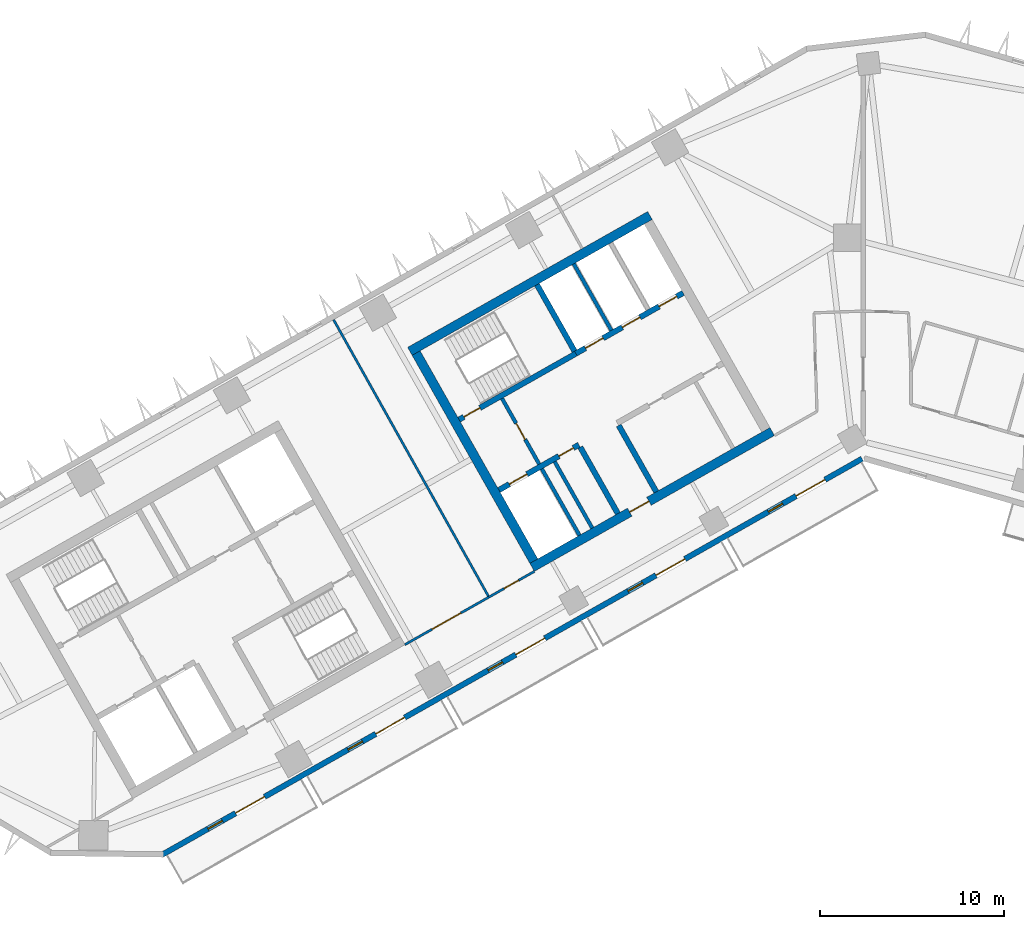
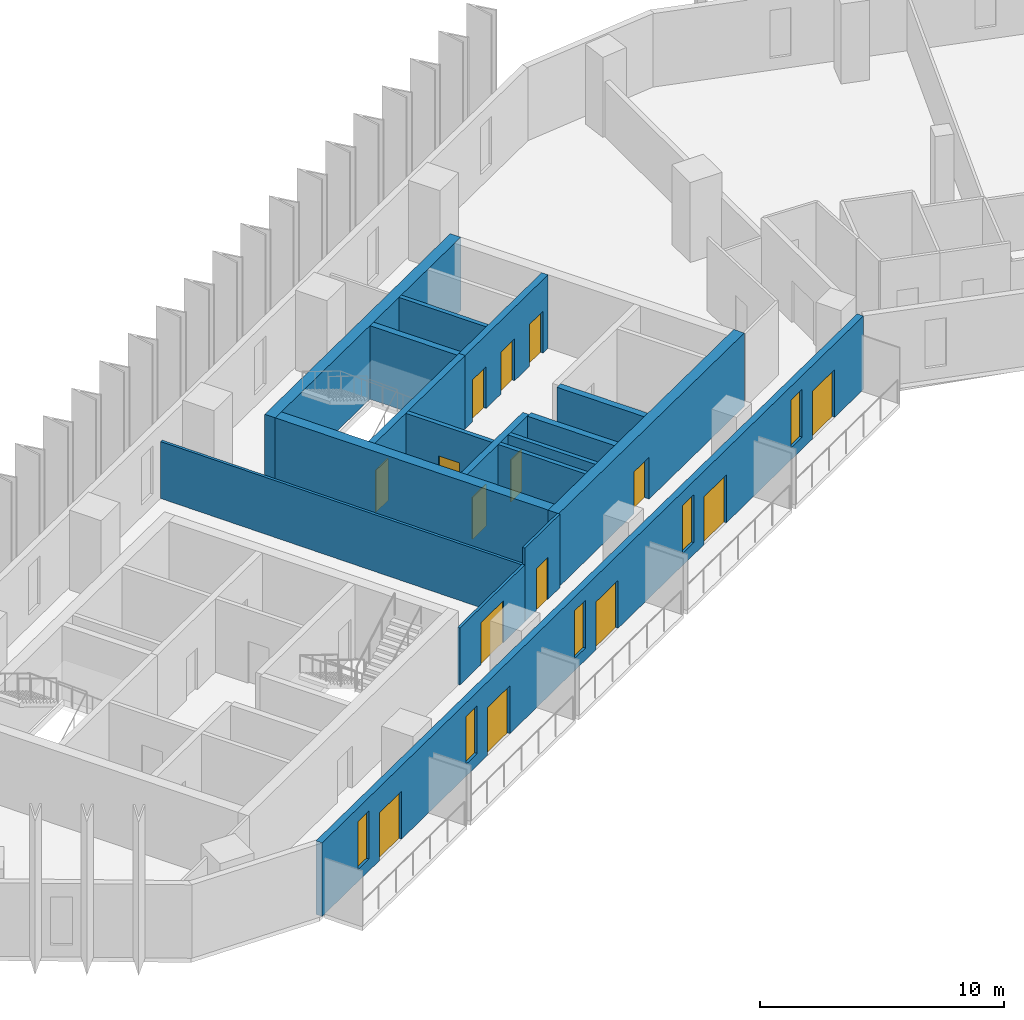
# One storey, part 4 of 10: 17 walls, 15 doors, 5 windows, 20 openings.
"""IFC4 building model written with IfcOpenShell, lengths in metres."""

from ifc_helpers import new_model, si_unit, direction, frame, frame_2d, origin, place, context, subcontext, project, spatial, rectangle, extrude, material, layer, layer_set, type_object, element, fill, save


model = new_model("IFC4")

# Units and contexts
model_context = context("Model", 3, precision=1e-05, world=origin(), true_north=direction((0.0, 1.0)))
body_context = subcontext(model_context, "Body", "Model", "MODEL_VIEW")
ifc_project = project(units=[si_unit("LENGTHUNIT", "METRE"), si_unit("AREAUNIT", "SQUARE_METRE"), si_unit("VOLUMEUNIT", "CUBIC_METRE"), si_unit("PLANEANGLEUNIT", "RADIAN"), si_unit("MASSUNIT", "GRAM", prefix="KILO")], contexts=[model_context])

# Site, building, storey
site_placement = place(None, origin())
site = spatial("IfcSite", under=ifc_project, at=site_placement, CompositionType="ELEMENT")
building_placement = place(site_placement, origin())
building = spatial("IfcBuilding", under=site, at=building_placement, Name="Binnacle Exchange Tower", CompositionType="ELEMENT")
storey_placement = place(building_placement, frame((0.0, 0.0, 178.89990234375)))
storey = spatial("IfcBuildingStorey", under=building, at=storey_placement, Name="L38", CompositionType="ELEMENT", Elevation=178.89990234375)

# Wall, openings, doors
ifc_material_1 = material(Name="Concrete C70/85", Category="concrete")
ifc_layer_1 = layer(ifc_material_1, 0.300048828125)
ifc_layer_set_1 = layer_set([ifc_layer_1], Name="Core wall - front 300")
wall_type_1 = type_object("IfcWallType", Name="Core wall - front 300", PredefinedType="SOLIDWALL", material=ifc_layer_set_1)
wall_1_placement = place(storey_placement, frame((-19.80517578125, 46.26708984375, 0.0), z_axis=(0.0, 0.0, 1.0), x_axis=(0.870353598469, 0.492427267353, 0.0)))
wall_1 = element("IfcWall", 1, at=wall_1_placement, inside=storey, type_object=wall_type_1, Name="Core wall CRWC2", PredefinedType="SOLIDWALL", context=body_context, shape_type="SweptSolid", body=[
    extrude(rectangle(XDim=5.0, YDim=0.300048828125, at=frame_2d((2.5, 0.0))), origin(), (0.0, 0.0, 1.0), 3.68017578125),
])
opening_1_placement = place(wall_1_placement, frame((0.64990234375, 0.0, 0.0)))
opening_1 = element("IfcOpeningElement", 2, at=opening_1_placement, cuts=wall_1, Name="Opening LD14", PredefinedType="OPENING", context=body_context, shape_type="SweptSolid", body=[
    extrude(rectangle(XDim=1.10009765625, YDim=2.10009765625, at=frame_2d((0.550048828125, 1.050048828125))), frame((0.0, 0.159912109375, 0.0), z_axis=(0.0, -1.0, 0.0), x_axis=(1.0, 0.0, 0.0)), (0.0, 0.0, 1.0), 0.320068359375),
])
opening_2_placement = place(wall_1_placement, frame((3.75, 0.0, 0.0)))
opening_2 = element("IfcOpeningElement", 3, at=opening_2_placement, cuts=wall_1, Name="Opening DC14", PredefinedType="OPENING", context=body_context, shape_type="SweptSolid", body=[
    extrude(rectangle(XDim=0.89990234375, YDim=2.10009765625, at=frame_2d((0.449951171875, 1.050048828125))), frame((0.0, 0.159912109375, 0.0), z_axis=(0.0, -1.0, 0.0), x_axis=(1.0, 0.0, 0.0)), (0.0, 0.0, 1.0), 0.320068359375),
])
ifc_material_2 = material(Name="Steel door leaf", Category="steel")
door_type_1 = type_object("IfcDoorType", Name="Fire door - lift landing 1100", OperationType="NOTDEFINED", PredefinedType="DOOR", material=ifc_material_2)
door_1_placement = place(opening_1_placement, origin())
door_1 = element("IfcDoor", 4, at=door_1_placement, inside=storey, type_object=door_type_1, Name="Landing door LD14 L38", OperationType="DOUBLE_DOOR_SLIDING", OverallHeight=2.10009765625, OverallWidth=1.10009765625, PredefinedType="DOOR", context=body_context, shape_type="SweptSolid", body=[
    extrude(rectangle(XDim=1.10009765625, YDim=2.10009765625, at=frame_2d((0.550048828125, 1.050048828125))), frame((0.0, 0.02490234375, 0.0), z_axis=(0.0, -1.0, 0.0), x_axis=(1.0, 0.0, 0.0)), (0.0, 0.0, 1.0), 0.050048828125),
])
fill(opening_1, door_1)
door_type_2 = type_object("IfcDoorType", Name="Fire door 900", OperationType="NOTDEFINED", PredefinedType="DOOR", material=ifc_material_2)
door_2_placement = place(opening_2_placement, frame((0.89990234375, 0.0, 0.0), z_axis=(0.0, 0.0, 1.0), x_axis=(-1.0, 0.0, 0.0)))
door_2 = element("IfcDoor", 5, at=door_2_placement, inside=storey, type_object=door_type_2, Name="Core room door IT STORE", OperationType="SINGLE_SWING_LEFT", OverallHeight=2.10009765625, OverallWidth=0.89990234375, PredefinedType="DOOR", context=body_context, shape_type="SweptSolid", body=[
    extrude(rectangle(XDim=0.89990234375, YDim=2.10009765625, at=frame_2d((0.449951171875, 1.050048828125))), frame((0.0, 0.02490234375, 0.0), z_axis=(0.0, -1.0, 0.0), x_axis=(1.0, 0.0, 0.0)), (0.0, 0.0, 1.0), 0.050048828125),
])
fill(opening_2, door_2)

wall_2_placement = place(storey_placement, frame((-15.6181640625, 53.69140625, 0.0), z_axis=(0.0, 0.0, 1.0), x_axis=(0.870363236066, 0.492410232738, 0.0)))
wall_2 = element("IfcWall", 6, at=wall_2_placement, inside=storey, type_object=wall_type_1, Name="Core wall CRWC5", PredefinedType="SOLIDWALL", context=body_context, shape_type="SweptSolid", body=[
    extrude(rectangle(XDim=6.699951171875, YDim=0.300048828125, at=frame_2d((3.35009765625, 0.0))), origin(), (0.0, 0.0, 1.0), 3.68017578125),
])
opening_3_placement = place(wall_2_placement, frame((0.60009765625, 0.0, 0.0)))
opening_3 = element("IfcOpeningElement", 7, at=opening_3_placement, cuts=wall_2, Name="Opening LD5", PredefinedType="OPENING", context=body_context, shape_type="SweptSolid", body=[
    extrude(rectangle(XDim=1.10009765625, YDim=2.10009765625, at=frame_2d((0.550048828125, 1.050048828125))), frame((0.0, 0.159912109375, 0.0), z_axis=(0.0, -1.0, 0.0), x_axis=(1.0, 0.0, 0.0)), (0.0, 0.0, 1.0), 0.320068359375),
])
opening_4_placement = place(wall_2_placement, frame((2.89990234375, 0.0, 0.0)))
opening_4 = element("IfcOpeningElement", 8, at=opening_4_placement, cuts=wall_2, Name="Opening LD6", PredefinedType="OPENING", context=body_context, shape_type="SweptSolid", body=[
    extrude(rectangle(XDim=1.10009765625, YDim=2.10009765625, at=frame_2d((0.550048828125, 1.050048828125))), frame((0.0, 0.159912109375, 0.0), z_axis=(0.0, -1.0, 0.0), x_axis=(1.0, 0.0, 0.0)), (0.0, 0.0, 1.0), 0.320068359375),
])
opening_5_placement = place(wall_2_placement, frame((5.199951171875, 0.0, 0.0)))
opening_5 = element("IfcOpeningElement", 9, at=opening_5_placement, cuts=wall_2, Name="Opening LD7", PredefinedType="OPENING", context=body_context, shape_type="SweptSolid", body=[
    extrude(rectangle(XDim=1.10009765625, YDim=2.10009765625, at=frame_2d((0.550048828125, 1.050048828125))), frame((0.0, 0.159912109375, 0.0), z_axis=(0.0, -1.0, 0.0), x_axis=(1.0, 0.0, 0.0)), (0.0, 0.0, 1.0), 0.320068359375),
])
door_3_placement = place(opening_3_placement, origin())
door_3 = element("IfcDoor", 10, at=door_3_placement, inside=storey, type_object=door_type_1, Name="Landing door LD5 L38", OperationType="DOUBLE_DOOR_SLIDING", OverallHeight=2.10009765625, OverallWidth=1.10009765625, PredefinedType="DOOR", context=body_context, shape_type="SweptSolid", body=[
    extrude(rectangle(XDim=1.10009765625, YDim=2.10009765625, at=frame_2d((0.550048828125, 1.050048828125))), frame((0.0, 0.02490234375, 0.0), z_axis=(0.0, -1.0, 0.0), x_axis=(1.0, 0.0, 0.0)), (0.0, 0.0, 1.0), 0.050048828125),
])
fill(opening_3, door_3)
door_4_placement = place(opening_4_placement, origin())
door_4 = element("IfcDoor", 11, at=door_4_placement, inside=storey, type_object=door_type_1, Name="Landing door LD6 L38", OperationType="DOUBLE_DOOR_SLIDING", OverallHeight=2.10009765625, OverallWidth=1.10009765625, PredefinedType="DOOR", context=body_context, shape_type="SweptSolid", body=[
    extrude(rectangle(XDim=1.10009765625, YDim=2.10009765625, at=frame_2d((0.550048828125, 1.050048828125))), frame((0.0, 0.02490234375, 0.0), z_axis=(0.0, -1.0, 0.0), x_axis=(1.0, 0.0, 0.0)), (0.0, 0.0, 1.0), 0.050048828125),
])
fill(opening_4, door_4)
door_5_placement = place(opening_5_placement, origin())
door_5 = element("IfcDoor", 12, at=door_5_placement, inside=storey, type_object=door_type_1, Name="Landing door LD7 L38", OperationType="DOUBLE_DOOR_SLIDING", OverallHeight=2.10009765625, OverallWidth=1.10009765625, PredefinedType="DOOR", context=body_context, shape_type="SweptSolid", body=[
    extrude(rectangle(XDim=1.10009765625, YDim=2.10009765625, at=frame_2d((0.550048828125, 1.050048828125))), frame((0.0, 0.02490234375, 0.0), z_axis=(0.0, -1.0, 0.0), x_axis=(1.0, 0.0, 0.0)), (0.0, 0.0, 1.0), 0.050048828125),
])
fill(opening_5, door_5)

# Walls
for number, where, z_axis, x_axis, name in (
    (13, (-15.37939453125, 48.5986328125, 0.0), (0.0, 0.0, 1.0), (0.492396453737, -0.870371031427, 0.0), "Core wall CRWC13"),
    (14, (-13.29052734375, 49.780517578125, 0.0), (0.0, 0.0, 1.0), (0.492396453737, -0.870371031427, 0.0), "Core wall CRWC15"),
):
    element("IfcWall", number, at=place(storey_placement, frame(where, z_axis=z_axis, x_axis=x_axis)), inside=storey, type_object=wall_type_1, Name=name, PredefinedType="SOLIDWALL", context=body_context, shape_type="SweptSolid", body=[
        extrude(rectangle(XDim=4.14990234375, YDim=0.300048828125, at=frame_2d((2.074951171875, 0.0))), origin(), (0.0, 0.0, 1.0), 3.68017578125),
    ])

# Wall, opening, door
ifc_layer_2 = layer(ifc_material_1, 0.5)
ifc_layer_set_2 = layer_set([ifc_layer_2], Name="Core wall - outer 500")
wall_type_2 = type_object("IfcWallType", Name="Core wall - outer 500", PredefinedType="SOLIDWALL", material=ifc_layer_set_2)
wall_3_placement = place(storey_placement, frame((-17.999755859375, 42.060791015625, 0.0), z_axis=(0.0, 0.0, 1.0), x_axis=(0.870356627484, 0.492421913601, 0.0)))
wall_3 = element("IfcWall", 15, at=wall_3_placement, inside=storey, type_object=wall_type_2, Name="Core wall CRWC1", PredefinedType="SOLIDWALL", context=body_context, shape_type="SweptSolid", body=[
    extrude(rectangle(XDim=14.999755859375, YDim=0.5, at=frame_2d((7.5, 0.0))), origin(), (0.0, 0.0, 1.0), 3.68017578125),
])
opening_6_placement = place(wall_3_placement, frame((6.10009765625, 0.0, 0.0)))
opening_6 = element("IfcOpeningElement", 16, at=opening_6_placement, cuts=wall_3, Name="Opening DC7", PredefinedType="OPENING", context=body_context, shape_type="SweptSolid", body=[
    extrude(rectangle(XDim=1.199951171875, YDim=2.10009765625, at=frame_2d((0.60009765625, 1.050048828125))), frame((0.0, 0.260009765625, 0.0), z_axis=(0.0, -1.0, 0.0), x_axis=(1.0, 0.0, 0.0)), (0.0, 0.0, 1.0), 0.52001953125),
])
door_type_3 = type_object("IfcDoorType", Name="Fire door 1200", OperationType="NOTDEFINED", PredefinedType="DOOR", material=ifc_material_2)
door_6_placement = place(opening_6_placement, frame((1.199951171875, 0.0, 0.0), z_axis=(0.0, 0.0, 1.0), x_axis=(-1.0, 0.0, 0.0)))
door_6 = element("IfcDoor", 17, at=door_6_placement, inside=storey, type_object=door_type_3, Name="Lift lobby entrance door core C", OperationType="SINGLE_SWING_RIGHT", OverallHeight=2.10009765625, OverallWidth=1.199951171875, PredefinedType="DOOR", context=body_context, shape_type="SweptSolid", body=[
    extrude(rectangle(XDim=1.199951171875, YDim=2.10009765625, at=frame_2d((0.60009765625, 1.050048828125))), frame((0.0, 0.02490234375, 0.0), z_axis=(0.0, -1.0, 0.0), x_axis=(1.0, 0.0, 0.0)), (0.0, 0.0, 1.0), 0.050048828125),
])
fill(opening_6, door_6)

# Walls
wall_4_placement = place(storey_placement, frame((-24.6474609375, 53.810546875, 0.0), z_axis=(0.0, 0.0, 1.0), x_axis=(0.87034965173, 0.492434243055, 0.0)))
element("IfcWall", 18, at=wall_4_placement, inside=storey, type_object=wall_type_2, Name="Core wall CRWC6", PredefinedType="SOLIDWALL", context=body_context, shape_type="SweptSolid", body=[
    extrude(rectangle(XDim=15.0, YDim=0.5, at=frame_2d((7.5, 0.0))), origin(), (0.0, 0.0, 1.0), 3.68017578125),
])
wall_5_placement = place(storey_placement, frame((-24.306884765625, 53.716064453125, 0.0), z_axis=(0.0, 0.0, 1.0), x_axis=(0.492427267353, -0.870353598469, 0.0)))
element("IfcWall", 19, at=wall_5_placement, inside=storey, type_object=wall_type_2, Name="Core wall CRWC7", PredefinedType="SOLIDWALL", context=body_context, shape_type="SweptSolid", body=[
    extrude(rectangle(XDim=13.0, YDim=0.5, at=frame_2d((6.5, 0.0))), origin(), (0.0, 0.0, 1.0), 3.68017578125),
])

# Wall, opening, door
ifc_layer_3 = layer(ifc_material_1, 0.300048828125)
ifc_layer_set_3 = layer_set([ifc_layer_3], Name="Core wall - stair 300")
wall_type_3 = type_object("IfcWallType", Name="Core wall - stair 300", PredefinedType="SOLIDWALL", material=ifc_layer_set_3)
wall_6_placement = place(storey_placement, frame((-21.9716796875, 50.0966796875, 0.0), z_axis=(0.0, 0.0, 1.0), x_axis=(0.870350976978, 0.492431900747, 0.0)))
wall_6 = element("IfcWall", 20, at=wall_6_placement, inside=storey, type_object=wall_type_3, Name="Core wall CRWC4", PredefinedType="SOLIDWALL", context=body_context, shape_type="SweptSolid", body=[
    extrude(rectangle(XDim=7.300048828125, YDim=0.300048828125, at=frame_2d((3.64990234375, 0.0))), origin(), (0.0, 0.0, 1.0), 3.68017578125),
])
opening_7_placement = place(wall_6_placement, frame((0.300048828125, 0.0, 0.0)))
opening_7 = element("IfcOpeningElement", 21, at=opening_7_placement, cuts=wall_6, Name="Opening DC1", PredefinedType="OPENING", context=body_context, shape_type="SweptSolid", body=[
    extrude(rectangle(XDim=1.0, YDim=2.10009765625, at=frame_2d((0.5, 1.050048828125))), frame((0.0, 0.159912109375, 0.0), z_axis=(0.0, -1.0, 0.0), x_axis=(1.0, 0.0, 0.0)), (0.0, 0.0, 1.0), 0.320068359375),
])
door_type_4 = type_object("IfcDoorType", Name="Fire door 1000", OperationType="NOTDEFINED", PredefinedType="DOOR", material=ifc_material_2)
door_7_placement = place(opening_7_placement, origin())
door_7 = element("IfcDoor", 22, at=door_7_placement, inside=storey, type_object=door_type_4, Name="Stair door ST-C1", OperationType="SINGLE_SWING_LEFT", OverallHeight=2.10009765625, OverallWidth=1.0, PredefinedType="DOOR", context=body_context, shape_type="SweptSolid", body=[
    extrude(rectangle(XDim=1.0, YDim=2.10009765625, at=frame_2d((0.5, 1.050048828125))), frame((0.0, 0.02490234375, 0.0), z_axis=(0.0, -1.0, 0.0), x_axis=(1.0, 0.0, 0.0)), (0.0, 0.0, 1.0), 0.050048828125),
])
fill(opening_7, door_7)

# Wall
wall_7_placement = place(storey_placement, frame((-17.735595703125, 57.433837890625, 0.0), z_axis=(0.0, 0.0, 1.0), x_axis=(0.492421666909, -0.870356767055, 0.0)))
element("IfcWall", 23, at=wall_7_placement, inside=storey, type_object=wall_type_3, Name="Core wall CRWC14", PredefinedType="SOLIDWALL", context=body_context, shape_type="SweptSolid", body=[
    extrude(rectangle(XDim=4.14990234375, YDim=0.300048828125, at=frame_2d((2.074951171875, 0.0))), origin(), (0.0, 0.0, 1.0), 3.68017578125),
])

# Wall, openings, doors, windows
ifc_material_3 = material(Name="Bronze aluminium cladding", Category="aluminium")
ifc_layer_4 = layer(ifc_material_3, 0.300048828125)
ifc_layer_set_4 = layer_set([ifc_layer_4], Name="External wall - spandrel 300")
wall_type_4 = type_object("IfcWallType", Name="External wall - spandrel 300", PredefinedType="STANDARD", material=ifc_layer_set_4)
wall_8_placement = place(storey_placement, frame((-0.0546875, 47.968994140625, 0.0), z_axis=(0.0, 0.0, 1.0), x_axis=(-0.870355730478, -0.492423499058, 0.0)))
wall_8 = element("IfcWall", 24, at=wall_8_placement, inside=storey, type_object=wall_type_4, Name="External wall EW-G01 L38", PredefinedType="STANDARD", context=body_context, shape_type="SweptSolid", body=[
    extrude(rectangle(XDim=43.750244140625, YDim=0.300048828125, at=frame_2d((21.875, 0.0))), origin(), (0.0, 0.0, 1.0), 3.68017578125),
])
opening_8_placement = place(wall_8_placement, frame((39.976806640625, 0.0, 0.60009765625)))
opening_8 = element("IfcOpeningElement", 25, at=opening_8_placement, cuts=wall_8, Name="Opening WS3", PredefinedType="OPENING", context=body_context, shape_type="SweptSolid", body=[
    extrude(rectangle(XDim=0.89990234375, YDim=2.39990234375, at=frame_2d((0.449951171875, 1.199951171875))), frame((0.0, 0.159912109375, 0.0), z_axis=(0.0, -1.0, 0.0), x_axis=(1.0, 0.0, 0.0)), (0.0, 0.0, 1.0), 0.320068359375),
])
opening_9_placement = place(wall_8_placement, frame((37.338134765625, 0.0, 0.0)))
opening_9 = element("IfcOpeningElement", 26, at=opening_9_placement, cuts=wall_8, Name="Opening D-FS11-01", PredefinedType="OPENING", context=body_context, shape_type="SweptSolid", body=[
    extrude(rectangle(XDim=1.800048828125, YDim=2.39990234375, at=frame_2d((0.89990234375, 1.199951171875))), frame((0.0, 0.159912109375, 0.0), z_axis=(0.0, -1.0, 0.0), x_axis=(1.0, 0.0, 0.0)), (0.0, 0.0, 1.0), 0.320068359375),
])
opening_10_placement = place(wall_8_placement, frame((31.222412109375, 0.0, 0.60009765625)))
opening_10 = element("IfcOpeningElement", 27, at=opening_10_placement, cuts=wall_8, Name="Opening WS3", PredefinedType="OPENING", context=body_context, shape_type="SweptSolid", body=[
    extrude(rectangle(XDim=0.89990234375, YDim=2.39990234375, at=frame_2d((0.449951171875, 1.199951171875))), frame((0.0, 0.159912109375, 0.0), z_axis=(0.0, -1.0, 0.0), x_axis=(1.0, 0.0, 0.0)), (0.0, 0.0, 1.0), 0.320068359375),
])
opening_11_placement = place(wall_8_placement, frame((28.583740234375, 0.0, 0.0)))
opening_11 = element("IfcOpeningElement", 28, at=opening_11_placement, cuts=wall_8, Name="Opening D-FS11-02", PredefinedType="OPENING", context=body_context, shape_type="SweptSolid", body=[
    extrude(rectangle(XDim=1.800048828125, YDim=2.39990234375, at=frame_2d((0.89990234375, 1.199951171875))), frame((0.0, 0.159912109375, 0.0), z_axis=(0.0, -1.0, 0.0), x_axis=(1.0, 0.0, 0.0)), (0.0, 0.0, 1.0), 0.320068359375),
])
opening_12_placement = place(wall_8_placement, frame((22.4677734375, 0.0, 0.60009765625)))
opening_12 = element("IfcOpeningElement", 29, at=opening_12_placement, cuts=wall_8, Name="Opening WS3", PredefinedType="OPENING", context=body_context, shape_type="SweptSolid", body=[
    extrude(rectangle(XDim=0.89990234375, YDim=2.39990234375, at=frame_2d((0.449951171875, 1.199951171875))), frame((0.0, 0.159912109375, 0.0), z_axis=(0.0, -1.0, 0.0), x_axis=(1.0, 0.0, 0.0)), (0.0, 0.0, 1.0), 0.320068359375),
])
opening_13_placement = place(wall_8_placement, frame((19.8291015625, 0.0, 0.0)))
opening_13 = element("IfcOpeningElement", 30, at=opening_13_placement, cuts=wall_8, Name="Opening D-FS11-03", PredefinedType="OPENING", context=body_context, shape_type="SweptSolid", body=[
    extrude(rectangle(XDim=1.800048828125, YDim=2.39990234375, at=frame_2d((0.89990234375, 1.199951171875))), frame((0.0, 0.159912109375, 0.0), z_axis=(0.0, -1.0, 0.0), x_axis=(1.0, 0.0, 0.0)), (0.0, 0.0, 1.0), 0.320068359375),
])
opening_14_placement = place(wall_8_placement, frame((13.713134765625, 0.0, 0.60009765625)))
opening_14 = element("IfcOpeningElement", 31, at=opening_14_placement, cuts=wall_8, Name="Opening WS3", PredefinedType="OPENING", context=body_context, shape_type="SweptSolid", body=[
    extrude(rectangle(XDim=0.89990234375, YDim=2.39990234375, at=frame_2d((0.449951171875, 1.199951171875))), frame((0.0, 0.159912109375, 0.0), z_axis=(0.0, -1.0, 0.0), x_axis=(1.0, 0.0, 0.0)), (0.0, 0.0, 1.0), 0.320068359375),
])
opening_15_placement = place(wall_8_placement, frame((11.07470703125, 0.0, 0.0)))
opening_15 = element("IfcOpeningElement", 32, at=opening_15_placement, cuts=wall_8, Name="Opening D-FS11-04", PredefinedType="OPENING", context=body_context, shape_type="SweptSolid", body=[
    extrude(rectangle(XDim=1.800048828125, YDim=2.39990234375, at=frame_2d((0.89990234375, 1.199951171875))), frame((0.0, 0.159912109375, 0.0), z_axis=(0.0, -1.0, 0.0), x_axis=(1.0, 0.0, 0.0)), (0.0, 0.0, 1.0), 0.320068359375),
])
opening_16_placement = place(wall_8_placement, frame((4.958740234375, 0.0, 0.60009765625)))
opening_16 = element("IfcOpeningElement", 33, at=opening_16_placement, cuts=wall_8, Name="Opening WS3", PredefinedType="OPENING", context=body_context, shape_type="SweptSolid", body=[
    extrude(rectangle(XDim=0.89990234375, YDim=2.39990234375, at=frame_2d((0.449951171875, 1.199951171875))), frame((0.0, 0.159912109375, 0.0), z_axis=(0.0, -1.0, 0.0), x_axis=(1.0, 0.0, 0.0)), (0.0, 0.0, 1.0), 0.320068359375),
])
opening_17_placement = place(wall_8_placement, frame((2.320068359375, 0.0, 0.0)))
opening_17 = element("IfcOpeningElement", 34, at=opening_17_placement, cuts=wall_8, Name="Opening D-FS11-05", PredefinedType="OPENING", context=body_context, shape_type="SweptSolid", body=[
    extrude(rectangle(XDim=1.800048828125, YDim=2.39990234375, at=frame_2d((0.89990234375, 1.199951171875))), frame((0.0, 0.159912109375, 0.0), z_axis=(0.0, -1.0, 0.0), x_axis=(1.0, 0.0, 0.0)), (0.0, 0.0, 1.0), 0.320068359375),
])
ifc_material_4 = material(Name="Bronze anodised aluminium frame", Category="aluminium")
door_type_5 = type_object("IfcDoorType", Name="DB DOOR 1800x2400", OperationType="DOUBLE_DOOR_SINGLE_SWING", PredefinedType="DOOR", material=ifc_material_4)
door_8_placement = place(opening_9_placement, origin())
door_8 = element("IfcDoor", 35, at=door_8_placement, inside=storey, type_object=door_type_5, Name="Door D-FS11-01 L38", OperationType="DOUBLE_DOOR_SINGLE_SWING", OverallHeight=2.39990234375, OverallWidth=1.800048828125, PredefinedType="DOOR", context=body_context, shape_type="SweptSolid", body=[
    extrude(rectangle(XDim=1.800048828125, YDim=2.39990234375, at=frame_2d((0.89990234375, 1.199951171875))), frame((0.0, 0.02490234375, 0.0), z_axis=(0.0, -1.0, 0.0), x_axis=(1.0, 0.0, 0.0)), (0.0, 0.0, 1.0), 0.050048828125),
])
fill(opening_9, door_8)
door_9_placement = place(opening_11_placement, origin())
door_9 = element("IfcDoor", 36, at=door_9_placement, inside=storey, type_object=door_type_5, Name="Door D-FS11-02 L38", OperationType="DOUBLE_DOOR_SINGLE_SWING", OverallHeight=2.39990234375, OverallWidth=1.800048828125, PredefinedType="DOOR", context=body_context, shape_type="SweptSolid", body=[
    extrude(rectangle(XDim=1.800048828125, YDim=2.39990234375, at=frame_2d((0.89990234375, 1.199951171875))), frame((0.0, 0.02490234375, 0.0), z_axis=(0.0, -1.0, 0.0), x_axis=(1.0, 0.0, 0.0)), (0.0, 0.0, 1.0), 0.050048828125),
])
fill(opening_11, door_9)
door_10_placement = place(opening_13_placement, origin())
door_10 = element("IfcDoor", 37, at=door_10_placement, inside=storey, type_object=door_type_5, Name="Door D-FS11-03 L38", OperationType="DOUBLE_DOOR_SINGLE_SWING", OverallHeight=2.39990234375, OverallWidth=1.800048828125, PredefinedType="DOOR", context=body_context, shape_type="SweptSolid", body=[
    extrude(rectangle(XDim=1.800048828125, YDim=2.39990234375, at=frame_2d((0.89990234375, 1.199951171875))), frame((0.0, 0.02490234375, 0.0), z_axis=(0.0, -1.0, 0.0), x_axis=(1.0, 0.0, 0.0)), (0.0, 0.0, 1.0), 0.050048828125),
])
fill(opening_13, door_10)
door_11_placement = place(opening_15_placement, origin())
door_11 = element("IfcDoor", 38, at=door_11_placement, inside=storey, type_object=door_type_5, Name="Door D-FS11-04 L38", OperationType="DOUBLE_DOOR_SINGLE_SWING", OverallHeight=2.39990234375, OverallWidth=1.800048828125, PredefinedType="DOOR", context=body_context, shape_type="SweptSolid", body=[
    extrude(rectangle(XDim=1.800048828125, YDim=2.39990234375, at=frame_2d((0.89990234375, 1.199951171875))), frame((0.0, 0.02490234375, 0.0), z_axis=(0.0, -1.0, 0.0), x_axis=(1.0, 0.0, 0.0)), (0.0, 0.0, 1.0), 0.050048828125),
])
fill(opening_15, door_11)
door_12_placement = place(opening_17_placement, origin())
door_12 = element("IfcDoor", 39, at=door_12_placement, inside=storey, type_object=door_type_5, Name="Door D-FS11-05 L38", OperationType="DOUBLE_DOOR_SINGLE_SWING", OverallHeight=2.39990234375, OverallWidth=1.800048828125, PredefinedType="DOOR", context=body_context, shape_type="SweptSolid", body=[
    extrude(rectangle(XDim=1.800048828125, YDim=2.39990234375, at=frame_2d((0.89990234375, 1.199951171875))), frame((0.0, 0.02490234375, 0.0), z_axis=(0.0, -1.0, 0.0), x_axis=(1.0, 0.0, 0.0)), (0.0, 0.0, 1.0), 0.050048828125),
])
fill(opening_17, door_12)
window_type = type_object("IfcWindowType", Name="WS3 WINDOW 900x2400", PartitioningType="SINGLE_PANEL", PredefinedType="WINDOW", material=ifc_material_4)
window_1_placement = place(opening_8_placement, origin())
window_1 = element("IfcWindow", 40, at=window_1_placement, inside=storey, type_object=window_type, Name="Window WS3 L38", OverallHeight=2.39990234375, OverallWidth=0.89990234375, PartitioningType="SINGLE_PANEL", PredefinedType="WINDOW", context=body_context, shape_type="SweptSolid", body=[
    extrude(rectangle(XDim=0.89990234375, YDim=2.39990234375, at=frame_2d((0.449951171875, 1.199951171875))), frame((0.0, 0.030029296875, 0.0), z_axis=(0.0, -1.0, 0.0), x_axis=(1.0, 0.0, 0.0)), (0.0, 0.0, 1.0), 0.06005859375),
])
fill(opening_8, window_1)
window_2_placement = place(opening_10_placement, origin())
window_2 = element("IfcWindow", 41, at=window_2_placement, inside=storey, type_object=window_type, Name="Window WS3 L38", OverallHeight=2.39990234375, OverallWidth=0.89990234375, PartitioningType="SINGLE_PANEL", PredefinedType="WINDOW", context=body_context, shape_type="SweptSolid", body=[
    extrude(rectangle(XDim=0.89990234375, YDim=2.39990234375, at=frame_2d((0.449951171875, 1.199951171875))), frame((0.0, 0.030029296875, 0.0), z_axis=(0.0, -1.0, 0.0), x_axis=(1.0, 0.0, 0.0)), (0.0, 0.0, 1.0), 0.06005859375),
])
fill(opening_10, window_2)
window_3_placement = place(opening_12_placement, origin())
window_3 = element("IfcWindow", 42, at=window_3_placement, inside=storey, type_object=window_type, Name="Window WS3 L38", OverallHeight=2.39990234375, OverallWidth=0.89990234375, PartitioningType="SINGLE_PANEL", PredefinedType="WINDOW", context=body_context, shape_type="SweptSolid", body=[
    extrude(rectangle(XDim=0.89990234375, YDim=2.39990234375, at=frame_2d((0.449951171875, 1.199951171875))), frame((0.0, 0.030029296875, 0.0), z_axis=(0.0, -1.0, 0.0), x_axis=(1.0, 0.0, 0.0)), (0.0, 0.0, 1.0), 0.06005859375),
])
fill(opening_12, window_3)
window_4_placement = place(opening_14_placement, origin())
window_4 = element("IfcWindow", 43, at=window_4_placement, inside=storey, type_object=window_type, Name="Window WS3 L38", OverallHeight=2.39990234375, OverallWidth=0.89990234375, PartitioningType="SINGLE_PANEL", PredefinedType="WINDOW", context=body_context, shape_type="SweptSolid", body=[
    extrude(rectangle(XDim=0.89990234375, YDim=2.39990234375, at=frame_2d((0.449951171875, 1.199951171875))), frame((0.0, 0.030029296875, 0.0), z_axis=(0.0, -1.0, 0.0), x_axis=(1.0, 0.0, 0.0)), (0.0, 0.0, 1.0), 0.06005859375),
])
fill(opening_14, window_4)
window_5_placement = place(opening_16_placement, origin())
window_5 = element("IfcWindow", 44, at=window_5_placement, inside=storey, type_object=window_type, Name="Window WS3 L38", OverallHeight=2.39990234375, OverallWidth=0.89990234375, PartitioningType="SINGLE_PANEL", PredefinedType="WINDOW", context=body_context, shape_type="SweptSolid", body=[
    extrude(rectangle(XDim=0.89990234375, YDim=2.39990234375, at=frame_2d((0.449951171875, 1.199951171875))), frame((0.0, 0.030029296875, 0.0), z_axis=(0.0, -1.0, 0.0), x_axis=(1.0, 0.0, 0.0)), (0.0, 0.0, 1.0), 0.06005859375),
])
fill(opening_16, window_5)

# Wall, opening, door
ifc_material_5 = material(Name="Masonry block wall", Category="masonry")
ifc_layer_5 = layer(ifc_material_5, 0.199951171875)
ifc_layer_set_5 = layer_set([ifc_layer_5], Name="Fire wall - vestibule 200")
wall_type_5 = type_object("IfcWallType", Name="Fire wall - vestibule 200", PredefinedType="PARTITIONING", material=ifc_layer_set_5)
wall_9_placement = place(storey_placement, frame((-19.635009765625, 51.246337890625, 0.0), z_axis=(0.0, 0.0, 1.0), x_axis=(0.492408451753, -0.87036424366, 0.0)))
wall_9 = element("IfcWall", 45, at=wall_9_placement, inside=storey, type_object=wall_type_5, Name="Core wall CRWC10", PredefinedType="PARTITIONING", context=body_context, shape_type="SweptSolid", body=[
    extrude(rectangle(XDim=4.099853515625, YDim=0.199951171875, at=frame_2d((2.0498046875, 0.0))), origin(), (0.0, 0.0, 1.0), 3.68017578125),
])
opening_18_placement = place(wall_9_placement, frame((1.550048828125, 0.0, 0.0)))
opening_18 = element("IfcOpeningElement", 46, at=opening_18_placement, cuts=wall_9, Name="Opening DC3", PredefinedType="OPENING", context=body_context, shape_type="SweptSolid", body=[
    extrude(rectangle(XDim=1.0, YDim=2.10009765625, at=frame_2d((0.5, 1.050048828125))), frame((0.0, 0.10986328125, 0.0), z_axis=(0.0, -1.0, 0.0), x_axis=(1.0, 0.0, 0.0)), (0.0, 0.0, 1.0), 0.219970703125),
])
door_13_placement = place(opening_18_placement, frame((1.0, 0.0, 0.0), z_axis=(0.0, 0.0, 1.0), x_axis=(-1.0, 0.0, 0.0)))
door_13 = element("IfcDoor", 47, at=door_13_placement, inside=storey, type_object=door_type_4, Name="Vestibule door VEST-W", OperationType="SINGLE_SWING_RIGHT", OverallHeight=2.10009765625, OverallWidth=1.0, PredefinedType="DOOR", context=body_context, shape_type="SweptSolid", body=[
    extrude(rectangle(XDim=1.0, YDim=2.10009765625, at=frame_2d((0.5, 1.050048828125))), frame((0.0, 0.02490234375, 0.0), z_axis=(0.0, -1.0, 0.0), x_axis=(1.0, 0.0, 0.0)), (0.0, 0.0, 1.0), 0.050048828125),
])
fill(opening_18, door_13)

# Wall
ifc_material_6 = material(Name="Gypsum partition")
ifc_layer_6 = layer(ifc_material_6, 0.125)
ifc_layer_set_6 = layer_set([ifc_layer_6], Name="Partition 125")
wall_type_6 = type_object("IfcWallType", Name="Partition 125", PredefinedType="PARTITIONING", material=ifc_layer_set_6)
wall_10_placement = place(storey_placement, frame((-28.799072265625, 55.533935546875, 0.0), z_axis=(0.0, 0.0, 1.0), x_axis=(0.488587464104, -0.872514922463, 0.0)))
element("IfcWall", 48, at=wall_10_placement, inside=storey, type_object=wall_type_6, Name="Partition W03", PredefinedType="PARTITIONING", context=body_context, shape_type="SweptSolid", body=[
    extrude(rectangle(XDim=17.294677734375, YDim=0.125, at=frame_2d((8.6474609375, 0.0))), origin(), (0.0, 0.0, 1.0), 2.85205078125),
])

# Wall, opening, door
wall_11_placement = place(storey_placement, frame((-24.9189453125, 37.85888671875, 0.0), z_axis=(0.0, 0.0, 1.0), x_axis=(0.870378311622, 0.492383584879, 0.0)))
wall_11 = element("IfcWall", 49, at=wall_11_placement, inside=storey, type_object=wall_type_6, Name="Partition W04", PredefinedType="PARTITIONING", context=body_context, shape_type="SweptSolid", body=[
    extrude(rectangle(XDim=5.25048828125, YDim=0.125, at=frame_2d((2.625244140625, 0.0))), origin(), (0.0, 0.0, 1.0), 2.85205078125),
])
opening_19_placement = place(wall_11_placement, frame((1.699951171875, 0.0, 0.0)))
opening_19 = element("IfcOpeningElement", 50, at=opening_19_placement, cuts=wall_11, Name="Opening DL38-01", PredefinedType="OPENING", context=body_context, shape_type="SweptSolid", body=[
    extrude(rectangle(XDim=1.800048828125, YDim=2.10009765625, at=frame_2d((0.89990234375, 1.050048828125))), frame((0.0, 0.072509765625, 0.0), z_axis=(0.0, -1.0, 0.0), x_axis=(1.0, 0.0, 0.0)), (0.0, 0.0, 1.0), 0.14501953125),
])
ifc_material_7 = material(Name="Timber door leaf", Category="wood")
door_type_6 = type_object("IfcDoorType", Name="Double door 1800", OperationType="NOTDEFINED", PredefinedType="DOOR", material=ifc_material_7)
door_14_placement = place(opening_19_placement, origin())
door_14 = element("IfcDoor", 51, at=door_14_placement, inside=storey, type_object=door_type_6, Name="Door DL38-01", OperationType="DOUBLE_DOOR_SINGLE_SWING", OverallHeight=2.10009765625, OverallWidth=1.800048828125, PredefinedType="DOOR", context=body_context, shape_type="SweptSolid", body=[
    extrude(rectangle(XDim=1.800048828125, YDim=2.10009765625, at=frame_2d((0.89990234375, 1.050048828125))), frame((0.0, 0.02490234375, 0.0), z_axis=(0.0, -1.0, 0.0), x_axis=(1.0, 0.0, 0.0)), (0.0, 0.0, 1.0), 0.050048828125),
])
fill(opening_19, door_14)

wall_12_placement = place(storey_placement, frame((-20.34912109375, 40.444091796875, 0.0), z_axis=(0.0, 0.0, 1.0), x_axis=(0.87031941539, 0.492487680247, 0.0)))
wall_12 = element("IfcWall", 52, at=wall_12_placement, inside=storey, type_object=wall_type_6, Name="Partition W05", PredefinedType="PARTITIONING", context=body_context, shape_type="SweptSolid", body=[
    extrude(rectangle(XDim=2.840576171875, YDim=0.125, at=frame_2d((1.42041015625, 0.0))), origin(), (0.0, 0.0, 1.0), 3.68017578125),
])
opening_20_placement = place(wall_12_placement, frame((0.949951171875, 0.0, 0.0)))
opening_20 = element("IfcOpeningElement", 53, at=opening_20_placement, cuts=wall_12, Name="Opening DL38-02", PredefinedType="OPENING", context=body_context, shape_type="SweptSolid", body=[
    extrude(rectangle(XDim=0.89990234375, YDim=2.10009765625, at=frame_2d((0.449951171875, 1.050048828125))), frame((0.0, 0.072509765625, 0.0), z_axis=(0.0, -1.0, 0.0), x_axis=(1.0, 0.0, 0.0)), (0.0, 0.0, 1.0), 0.14501953125),
])
door_type_7 = type_object("IfcDoorType", Name="Door 900", OperationType="NOTDEFINED", PredefinedType="DOOR", material=ifc_material_7)
door_15_placement = place(opening_20_placement, origin())
door_15 = element("IfcDoor", 54, at=door_15_placement, inside=storey, type_object=door_type_7, Name="Door DL38-02", OperationType="SINGLE_SWING_LEFT", OverallHeight=2.10009765625, OverallWidth=0.89990234375, PredefinedType="DOOR", context=body_context, shape_type="SweptSolid", body=[
    extrude(rectangle(XDim=0.89990234375, YDim=2.10009765625, at=frame_2d((0.449951171875, 1.050048828125))), frame((0.0, 0.02490234375, 0.0), z_axis=(0.0, -1.0, 0.0), x_axis=(1.0, 0.0, 0.0)), (0.0, 0.0, 1.0), 0.050048828125),
])
fill(opening_20, door_15)

# Walls
ifc_layer_7 = layer(ifc_material_5, 0.199951171875)
ifc_layer_set_7 = layer_set([ifc_layer_7], Name="Riser wall 200")
wall_type_7 = type_object("IfcWallType", Name="Riser wall 200", PredefinedType="SOLIDWALL", material=ifc_layer_set_7)
for number, where, z_axis, x_axis, name in (
    (55, (-17.468505859375, 47.416748046875, 0.0), (0.0, 0.0, 1.0), (0.492441017253, -0.870345818929, 0.0), "Core wall CRWC8"),
    (56, (-16.772216796875, 47.810791015625, 0.0), (0.0, 0.0, 1.0), (0.492441017253, -0.870345818929, 0.0), "Core wall CRWC11"),
):
    element("IfcWall", number, at=place(storey_placement, frame(where, z_axis=z_axis, x_axis=x_axis)), inside=storey, type_object=wall_type_7, Name=name, PredefinedType="SOLIDWALL", context=body_context, shape_type="SweptSolid", body=[
        extrude(rectangle(XDim=4.150146484375, YDim=0.199951171875, at=frame_2d((2.0751953125, 0.0))), origin(), (0.0, 0.0, 1.0), 3.68017578125),
    ])
ifc_layer_8 = layer(ifc_material_5, 0.199951171875)
ifc_layer_set_8 = layer_set([ifc_layer_8], Name="Shaft wall 200")
wall_type_8 = type_object("IfcWallType", Name="Shaft wall 200", PredefinedType="SOLIDWALL", material=ifc_layer_set_8)
wall_13_placement = place(storey_placement, frame((-15.73388671875, 58.56640625, 0.0), z_axis=(0.0, 0.0, 1.0), x_axis=(0.492441017253, -0.870345818929, 0.0)))
element("IfcWall", 57, at=wall_13_placement, inside=storey, type_object=wall_type_8, Name="Core wall CRWC18", PredefinedType="SOLIDWALL", context=body_context, shape_type="SweptSolid", body=[
    extrude(rectangle(XDim=4.150146484375, YDim=0.199951171875, at=frame_2d((2.0751953125, 0.0))), origin(), (0.0, 0.0, 1.0), 3.68017578125),
])

save(model, "model.ifc")
